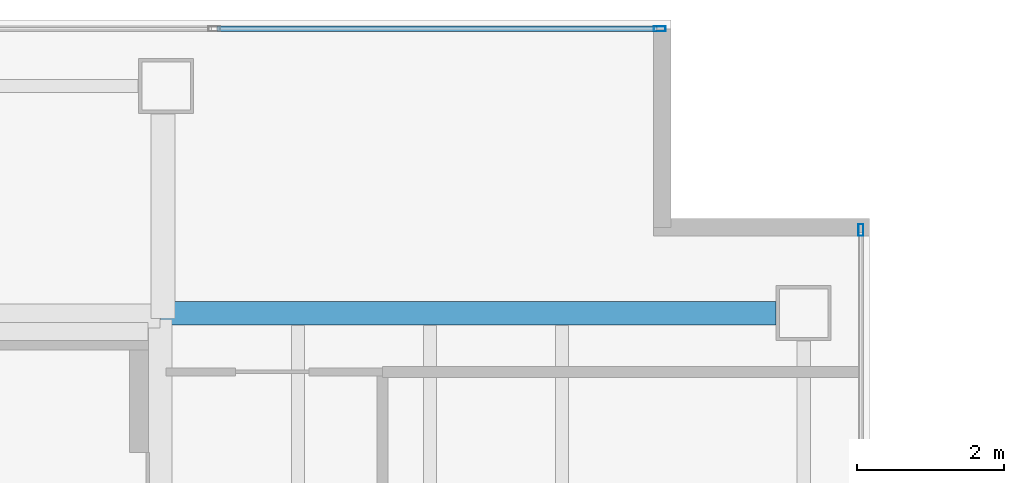
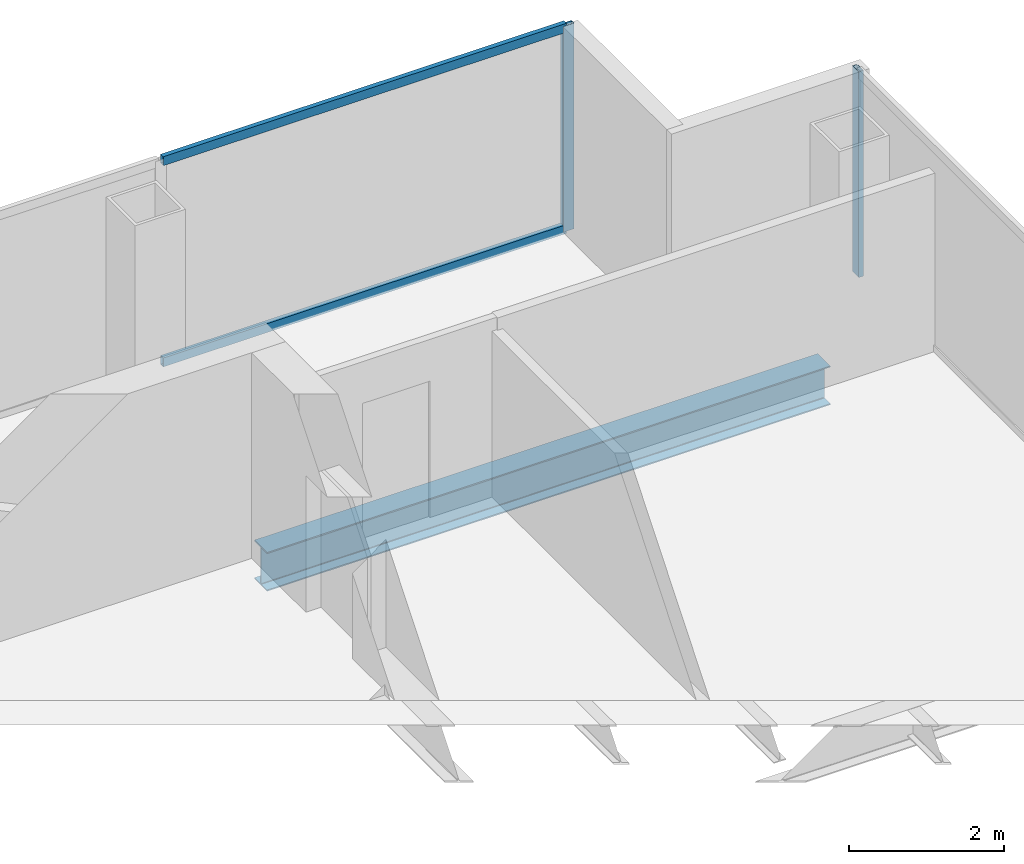
# One storey, part 18 of 23: 4 members, 1 beam, 2 elements without a shape of their own.
"""IFC4 building model written with IfcOpenShell, lengths in metres."""

import ifcopenshell
import ifcopenshell.guid

model = None  # the IFC model being written
_history = None  # IfcOwnerHistory: only IFC2X3 demands one
_inside = {}  # id of a spatial element -> (the spatial element, [elements in it])
_under = {}  # id of a project, library or spatial element -> (it, [spatial elements below it])
_declared = {}  # id of a project -> (the project, [libraries it declares])
_typed = {}  # id of a type object -> (the type object, [elements of that type])
_made_of = {}  # id of a material, layer set ... -> (it, [elements and type objects made of it])


def new_model(schema):
    """Start an empty IFC model of exactly this schema.

    Asked for "IFC4X3", IfcOpenShell would pick the latest addendum, in which some entities
    have other attributes; the version numbers below select the first issue.
    IFC2X3 requires an IfcOwnerHistory on every rooted entity: one is made here for all.
    """
    global model, _history
    if schema == "IFC4X3":
        model = ifcopenshell.file(schema_version=(4, 3, 0, 0))
    else:
        model = ifcopenshell.file(schema=schema)
    _inside.clear()
    _under.clear()
    _declared.clear()
    _typed.clear()
    _made_of.clear()
    _history = None
    if model.schema == "IFC2X3":
        org = make("IfcOrganization", Name="unknown")
        user = make(
            "IfcPersonAndOrganization",
            ThePerson=make("IfcPerson", FamilyName="unknown"),
            TheOrganization=org,
        )
        app = make(
            "IfcApplication",
            ApplicationDeveloper=org,
            Version="unknown",
            ApplicationFullName="unknown",
            ApplicationIdentifier="unknown",
        )
        _history = make(
            "IfcOwnerHistory",
            OwningUser=user,
            OwningApplication=app,
            ChangeAction="ADDED",
            CreationDate=0,
        )
    return model


def make(cls, **values):
    """One entity of the class cls with the attributes given. An attribute that is None is left unset."""
    return model.create_entity(
        cls, **{name: value for name, value in values.items() if value is not None}
    )


def rooted(cls, **values):
    """An entity with a GlobalId (a new one), such as an element, a storey or a relation."""
    return make(cls, GlobalId=ifcopenshell.guid.new(), OwnerHistory=_history, **values)


def si_unit(unit_type, name, prefix=None):
    """IfcSIUnit, for example si_unit("LENGTHUNIT", "METRE", prefix="MILLI")."""
    return make("IfcSIUnit", UnitType=unit_type, Prefix=prefix, Name=name)


def assignment(units):
    """IfcUnitAssignment: the units of a project."""
    return None if units is None else make("IfcUnitAssignment", Units=units)


def point(xyz):
    """IfcCartesianPoint."""
    return None if xyz is None else make("IfcCartesianPoint", Coordinates=xyz)


def direction(xyz):
    """IfcDirection."""
    return None if xyz is None else make("IfcDirection", DirectionRatios=xyz)


def frame(location, z_axis=None, x_axis=None):
    """IfcAxis2Placement3D, a coordinate frame: its origin and axes. An axis left out is left unset."""
    return make(
        "IfcAxis2Placement3D",
        Location=point(location),
        Axis=direction(z_axis),
        RefDirection=direction(x_axis),
    )


def frame_2d(location, x_axis=None):
    """IfcAxis2Placement2D, a coordinate frame in the plane: its origin and x axis."""
    return make(
        "IfcAxis2Placement2D", Location=point(location), RefDirection=direction(x_axis)
    )


def origin():
    """The frame at (0, 0, 0) with its axes left unset."""
    return frame((0.0, 0.0, 0.0))


def origin_2d():
    """The frame at (0, 0) in the plane with its x axis left unset."""
    return frame_2d((0.0, 0.0))


def place(relative_to, where):
    """IfcLocalPlacement: puts the frame where relative to a parent placement (None: the world)."""
    return make(
        "IfcLocalPlacement", PlacementRelTo=relative_to, RelativePlacement=where
    )


def context(
    kind, dimensions, precision=None, world=None, true_north=None, identifier=None
):
    """IfcGeometricRepresentationContext, for example the 3D "Model" context."""
    return make(
        "IfcGeometricRepresentationContext",
        ContextIdentifier=identifier,
        ContextType=kind,
        CoordinateSpaceDimension=dimensions,
        Precision=precision,
        WorldCoordinateSystem=world,
        TrueNorth=true_north,
    )


def subcontext(parent, identifier, kind, view, scale=None):
    """IfcGeometricRepresentationSubContext, for example "Body" below "Model"."""
    return make(
        "IfcGeometricRepresentationSubContext",
        ContextIdentifier=identifier,
        ContextType=kind,
        ParentContext=parent,
        TargetScale=scale,
        TargetView=view,
    )


def project(units=None, contexts=None):
    """IfcProject with its units and contexts."""
    return rooted(
        "IfcProject",
        Name="project",
        RepresentationContexts=contexts,
        UnitsInContext=assignment(units),
    )


def spatial(cls, under=None, at=None, **own):
    """A site, building, storey or space (cls), placed at a placement, below another one or the project."""
    s = rooted(cls, ObjectPlacement=at, **own)
    if under is not None:
        _under.setdefault(under.id(), (under, []))[1].append(s)
    return s


def profile(cls, at=None, kind="AREA", **sizes):
    """A parametric profile (cls). Its sizes go by their IFC names, for example OverallWidth=200.0."""
    return make(cls, ProfileType=kind, Position=at, **sizes)


def hollow_rectangle(**sizes):
    """IfcRectangleHollowProfileDef."""
    return profile("IfcRectangleHollowProfileDef", **sizes)


def i_section(**sizes):
    """IfcIShapeProfileDef."""
    return profile("IfcIShapeProfileDef", **sizes)


def extrude(swept, where, along, depth):
    """IfcExtrudedAreaSolid: the profile swept, set in the frame where, extruded along a direction by depth."""
    return make(
        "IfcExtrudedAreaSolid",
        SweptArea=swept,
        Position=where,
        ExtrudedDirection=direction(along),
        Depth=depth,
    )


def shape(context_of_items, identifier, shape_type, items):
    """IfcShapeRepresentation: the items that make up one representation, for example the "Body"."""
    return make(
        "IfcShapeRepresentation",
        ContextOfItems=context_of_items,
        RepresentationIdentifier=identifier,
        RepresentationType=shape_type,
        Items=items,
    )


def material(Name=None, Category=None):
    """IfcMaterial."""
    return make("IfcMaterial", Name=Name, Category=Category)


def material_profile(
    of_material, cross_section, Name=None, Category=None, Priority=None
):
    """IfcMaterialProfile: a cross section and its material."""
    return make(
        "IfcMaterialProfile",
        Name=Name,
        Material=of_material,
        Profile=cross_section,
        Priority=Priority,
        Category=Category,
    )


def profile_set(profiles, Name=None, composite=None):
    """IfcMaterialProfileSet."""
    return make(
        "IfcMaterialProfileSet",
        Name=Name,
        MaterialProfiles=profiles,
        CompositeProfile=composite,
    )


def made_of(thing, what):
    """Note that an element or type object is made of a material, layer set ...; save() writes the relation."""
    if what is not None:
        _made_of.setdefault(what.id(), (what, []))[1].append(thing)
    return thing


def type_object(cls, material=None, **own):
    """A type object (cls), such as IfcWallType, which elements share."""
    return made_of(rooted(cls, **own), material)


def element(
    cls,
    number,
    at=None,
    inside=None,
    cuts=None,
    type_object=None,
    material=None,
    context=None,
    identifier="Body",
    shape_type=None,
    held_by="IfcProductDefinitionShape",
    body=None,
    shapes=None,
    **own,
):
    """One element of the class cls, such as IfcWall. Its Tag is "e" and its number.

    at: its placement. inside: the storey or other place that contains it. cuts: it is an
    opening in that element (IfcRelVoidsElement). A single representation is given by context,
    identifier, shape_type and body (its items); several are given by shapes. held_by: the class
    of the entity that holds the representations. save() writes the other relations.
    """
    e = rooted(cls, Tag="e%d" % number, ObjectPlacement=at, **own)
    if body is not None:
        shapes = [shape(context, identifier, shape_type, body)]
    if shapes is not None:
        e.Representation = make(held_by, Representations=shapes)
    if inside is not None:
        _inside.setdefault(inside.id(), (inside, []))[1].append(e)
    if cuts is not None:
        rooted(
            "IfcRelVoidsElement", RelatingBuildingElement=cuts, RelatedOpeningElement=e
        )
    if type_object is not None:
        _typed.setdefault(type_object.id(), (type_object, []))[1].append(e)
    return made_of(e, material)


def aggregate(whole, parts):
    """IfcRelAggregates: a whole, such as a stair, and the parts it consists of."""
    return rooted("IfcRelAggregates", RelatingObject=whole, RelatedObjects=parts)


def save(model, path):
    """Write the relations noted so far, then the file.

    IfcRelAggregates (storeys below a building ...), IfcRelContainedInSpatialStructure (elements
    in a storey), IfcRelDefinesByType, IfcRelAssociatesMaterial and IfcRelDeclares: one each for
    every whole, place, type object, material and project.
    """
    for whole, parts in _under.values():
        aggregate(whole, parts)
    for where, things in _inside.values():
        rooted(
            "IfcRelContainedInSpatialStructure",
            RelatedElements=things,
            RelatingStructure=where,
        )
    for kind, things in _typed.values():
        rooted("IfcRelDefinesByType", RelatedObjects=things, RelatingType=kind)
    for what, things in _made_of.values():
        rooted("IfcRelAssociatesMaterial", RelatedObjects=things, RelatingMaterial=what)
    for by, libraries in _declared.values():
        rooted("IfcRelDeclares", RelatingContext=by, RelatedDefinitions=libraries)
    model.write(path)


model = new_model("IFC4")

# Units and contexts
model_context = context("Model", 3, precision=1e-05, world=origin(), true_north=direction((0.0, 1.0)))
body_context = subcontext(model_context, "Body", "Model", "MODEL_VIEW")
ifc_project = project(units=[si_unit("LENGTHUNIT", "METRE"), si_unit("AREAUNIT", "SQUARE_METRE"), si_unit("VOLUMEUNIT", "CUBIC_METRE"), si_unit("PLANEANGLEUNIT", "RADIAN"), si_unit("MASSUNIT", "GRAM", prefix="KILO")], contexts=[model_context])

# Site, building, storey
site_placement = place(None, origin())
site = spatial("IfcSite", under=ifc_project, at=site_placement, CompositionType="ELEMENT")
building_placement = place(site_placement, origin())
building = spatial("IfcBuilding", under=site, at=building_placement, Name="Cobrela Telecom Tower", CompositionType="ELEMENT")
storey_placement = place(building_placement, frame((0.0, 0.0, 225.75)))
storey = spatial("IfcBuildingStorey", under=building, at=storey_placement, Name="L58", CompositionType="ELEMENT", Elevation=225.75)

# Beam
ifc_material_1 = material(Name="Steel ASTM A992 Grade 50", Category="steel")
ifc_material_profile_1 = material_profile(ifc_material_1, i_section(OverallWidth=0.324951171875, OverallDepth=0.612060546875, WebThickness=0.0126953125, FlangeThickness=0.01904296875, FilletRadius=0.014892578125, at=origin_2d()), Name="W24X104")
ifc_profile_set_1 = profile_set([ifc_material_profile_1], Name="Steel ASTM A992 Grade 50")
beam_type = type_object("IfcBeamType", Name="BM-GIRD-07", PredefinedType="USERDEFINED", material=ifc_profile_set_1)
beam_placement = place(storey_placement, frame((14.324951171875, 36.0, -0.56591796875), z_axis=(1.0, 0.0, 0.0), x_axis=(0.0, 1.0, 0.0)))
element("IfcBeam", 1, at=beam_placement, inside=storey, type_object=beam_type, Name="L58 Primary Girder X22", ObjectType="GIRDER", PredefinedType="USERDEFINED", context=body_context, shape_type="SweptSolid", body=[
    extrude(i_section(OverallWidth=0.324951171875, OverallDepth=0.612060546875, WebThickness=0.0126953125, FlangeThickness=0.01904296875, FilletRadius=0.014892578125, at=origin_2d()), origin(), (0.0, 0.0, 1.0), 8.39501953125),
])

# Curtain wall, member
ifc_material_2 = material(Name="Anodized Bronze Aluminium 6063-T6", Category="aluminium")
curtain_wall_type = type_object("IfcCurtainWallType", Name="CW-SYS-OFF-LO", PredefinedType="USERDEFINED", material=ifc_material_2)
curtain_wall_1_placement = place(storey_placement, origin())
curtain_wall_1 = element("IfcCurtainWall", 2, at=curtain_wall_1_placement, inside=storey, type_object=curtain_wall_type, Name="L58 Unitised Bronze Curtain Wall 07", ObjectType="UNITISED CURTAIN WALL", PredefinedType="USERDEFINED")
ifc_material_profile_2 = material_profile(ifc_material_2, hollow_rectangle(XDim=0.070068359375, YDim=0.159912109375, WallThickness=0.00390625, at=origin_2d()), Name="ALU 70x160x4")
ifc_profile_set_2 = profile_set([ifc_material_profile_2], Name="Anodized Bronze Aluminium 6063-T6")
member_type_1 = type_object("IfcMemberType", Name="CW-SYS-OFF-LO-MUL", PredefinedType="MULLION", material=ifc_profile_set_2)
member_1_placement = place(storey_placement, frame((21.135009765625, 39.8798828125, 0.0), z_axis=(0.0, 0.0, 1.0), x_axis=(0.0, 1.0, 0.0)))
member_1 = element("IfcMember", 3, at=member_1_placement, type_object=member_type_1, Name="CW-OFF-LO mullion 4", PredefinedType="MULLION", context=body_context, shape_type="SweptSolid", body=[
    extrude(hollow_rectangle(XDim=0.070068359375, YDim=0.159912109375, WallThickness=0.00390625, at=origin_2d()), origin(), (0.0, 0.0, 1.0), 3.239990234375),
])

curtain_wall_2_placement = place(storey_placement, origin())
curtain_wall_2 = element("IfcCurtainWall", 4, at=curtain_wall_2_placement, inside=storey, type_object=curtain_wall_type, Name="L58 Unitised Bronze Curtain Wall 10", ObjectType="UNITISED CURTAIN WALL", PredefinedType="USERDEFINED")
member_2_placement = place(storey_placement, frame((23.8798828125, 37.135009765625, 0.0), z_axis=(0.0, 0.0, 1.0), x_axis=(1.0, 0.0, 0.0)))
member_2 = element("IfcMember", 5, at=member_2_placement, type_object=member_type_1, Name="CW-OFF-LO mullion 1", PredefinedType="MULLION", context=body_context, shape_type="SweptSolid", body=[
    extrude(hollow_rectangle(XDim=0.070068359375, YDim=0.159912109375, WallThickness=0.00390625, at=origin_2d()), origin(), (0.0, 0.0, 1.0), 3.239990234375),
])
aggregate(curtain_wall_2, [member_2])

# Member
ifc_material_profile_3 = material_profile(ifc_material_2, hollow_rectangle(XDim=0.070068359375, YDim=0.139892578125, WallThickness=0.00390625, at=origin_2d()), Name="ALU 70x140x4")
ifc_profile_set_3 = profile_set([ifc_material_profile_3], Name="Anodized Bronze Aluminium 6063-T6")
member_type_2 = type_object("IfcMemberType", Name="CW-SYS-OFF-LO-TRN", PredefinedType="USERDEFINED", material=ifc_profile_set_3)
member_3_placement = place(storey_placement, frame((15.091552734375, 39.8798828125, 0.034912109375), z_axis=(1.0, 0.0, 0.0), x_axis=(0.0, 1.0, 0.0)))
member_3 = element("IfcMember", 6, at=member_3_placement, type_object=member_type_2, Name="CW-OFF-LO transom 3.1", ObjectType="TRANSOM", PredefinedType="USERDEFINED", context=body_context, shape_type="SweptSolid", body=[
    extrude(hollow_rectangle(XDim=0.070068359375, YDim=0.139892578125, WallThickness=0.00390625, at=origin_2d()), origin(), (0.0, 0.0, 1.0), 6.008544921875),
])

member_4_placement = place(storey_placement, frame((15.091552734375, 39.8798828125, 3.205078125), z_axis=(1.0, 0.0, 0.0), x_axis=(0.0, 1.0, 0.0)))
member_4 = element("IfcMember", 7, at=member_4_placement, type_object=member_type_2, Name="CW-OFF-LO transom 3.2", ObjectType="TRANSOM", PredefinedType="USERDEFINED", context=body_context, shape_type="SweptSolid", body=[
    extrude(hollow_rectangle(XDim=0.070068359375, YDim=0.139892578125, WallThickness=0.00390625, at=origin_2d()), origin(), (0.0, 0.0, 1.0), 6.008544921875),
])

aggregate(curtain_wall_1, [member_1, member_3, member_4])

save(model, "model.ifc")
